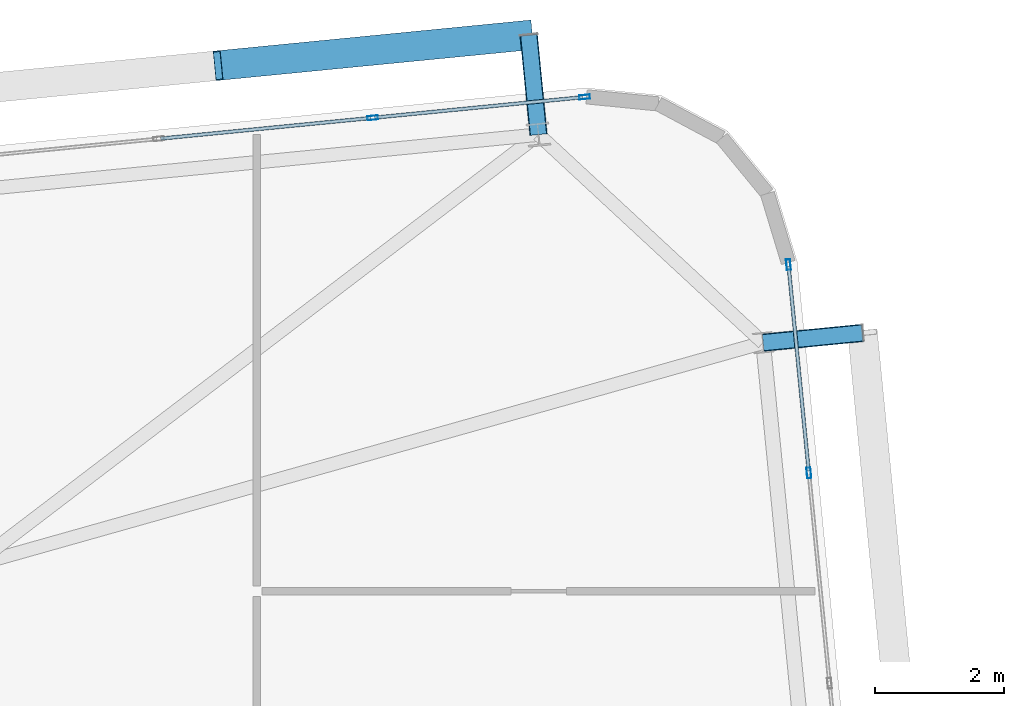
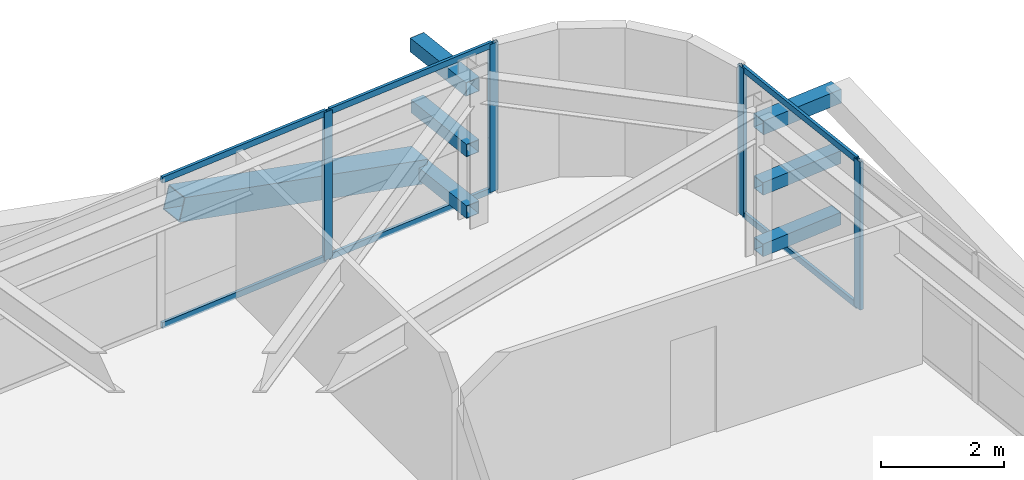
# One storey, part 35 of 52: 17 members, 2 elements without a shape of their own.
"""IFC4 building model written with IfcOpenShell, lengths in metres."""

from ifc_helpers import new_model, si_unit, direction, frame, origin, origin_2d, place, context, subcontext, project, spatial, hollow_rectangle, extrude, source, transform, mapped, material, layer, layer_set, material_profile, profile_set, type_object, element, aggregate, save


model = new_model("IFC4")

# Units and contexts
model_context = context("Model", 3, precision=1e-05, world=origin(), true_north=direction((0.0, 1.0)))
body_context = subcontext(model_context, "Body", "Model", "MODEL_VIEW")
ifc_project = project(units=[si_unit("LENGTHUNIT", "METRE"), si_unit("AREAUNIT", "SQUARE_METRE"), si_unit("VOLUMEUNIT", "CUBIC_METRE"), si_unit("PLANEANGLEUNIT", "RADIAN"), si_unit("MASSUNIT", "GRAM", prefix="KILO")], contexts=[model_context])

# Site, building, storey
site_placement = place(None, origin())
site = spatial("IfcSite", under=ifc_project, at=site_placement, CompositionType="ELEMENT")
building_placement = place(site_placement, origin())
building = spatial("IfcBuilding", under=site, at=building_placement, Name="Taldren Reach Tower", CompositionType="ELEMENT")
storey_placement = place(building_placement, frame((0.0, 0.0, 96.60009765625)))
storey = spatial("IfcBuildingStorey", under=building, at=storey_placement, Name="L29", CompositionType="ELEMENT", Elevation=96.60009765625)

# Members
ifc_material_1 = material(Name="Steel Gr 450 (C450L0)", Category="steel")
ifc_material_profile_1 = material_profile(ifc_material_1, hollow_rectangle(XDim=0.27490234375, YDim=0.27490234375, WallThickness=0.00927734375, at=origin_2d()), Name="275x275x9.3SHS")
ifc_profile_set_1 = profile_set([ifc_material_profile_1], Name="Steel Gr 450 (C450L0)")
member_type_1 = type_object("IfcMemberType", Name="MB-TIE273", PredefinedType="STRUT", material=ifc_profile_set_1)
shared_shape_1 = source(origin(), body_context, "Body", "SweptSolid", [
    extrude(hollow_rectangle(XDim=0.27490234375, YDim=0.27490234375, WallThickness=0.00927734375, at=origin_2d()), origin(), (0.0, 0.0, 1.0), 1.5498046875),
])
for number, where, z_axis, x_axis, name in (
    (1, (59.765869140625, 38.679931640625, 2.64990234375), (-0.097663201064, 0.995219523099, 0.0), (-0.995219523099, -0.097663201064, 0.0), "Exoskeleton diaphragm tie strut B2-N6 L29"),
    (2, (63.247314453125, 35.454345703125, 2.64990234375), (0.995234821595, 0.097507178627, 0.0), (-0.097507178627, 0.995234821595, 0.0), "Exoskeleton diaphragm tie strut B2-E3 L29"),
):
    element("IfcMember", number, at=place(storey_placement, frame(where, z_axis=z_axis, x_axis=x_axis)), inside=storey, type_object=member_type_1, Name=name, PredefinedType="STRUT", context=body_context, shape_type="MappedRepresentation", body=[
        mapped(shared_shape_1, transform((0.0, 0.0, 0.0), scale=1.0)),
    ])
ifc_material_2 = material(Name="Steel Gr 350 (C350L0)", Category="steel")
ifc_material_profile_2 = material_profile(ifc_material_2, hollow_rectangle(XDim=0.25, YDim=0.25, WallThickness=0.010009765625, at=origin_2d()), Name="250x250x10.0SHS")
ifc_profile_set_2 = profile_set([ifc_material_profile_2], Name="Steel Gr 350 (C350L0)")
member_type_2 = type_object("IfcMemberType", Name="MB-POST250", PredefinedType="POST", material=ifc_profile_set_2)
shared_shape_2 = source(origin(), body_context, "Body", "SweptSolid", [
    extrude(hollow_rectangle(XDim=0.25, YDim=0.25, WallThickness=0.010009765625, at=origin_2d()), origin(), (0.0, 0.0, 1.0), 1.5498046875),
])
for number, where, z_axis, x_axis, name in (
    (3, (59.765869140625, 38.679931640625, 0.219970703125), (-0.097663201064, 0.995219523099, 0.0), (-0.995219523099, -0.097663201064, 0.0), "Exoskeleton base diaphragm tie strut B2-N6 L29"),
    (4, (63.247314453125, 35.454345703125, 0.219970703125), (0.995234821595, 0.097507178627, 0.0), (-0.097507178627, 0.995234821595, 0.0), "Exoskeleton base diaphragm tie strut B2-E3 L29"),
    (5, (59.765869140625, 38.679931640625, 1.434814453125), (-0.097663201064, 0.995219523099, 0.0), (-0.995219523099, -0.097663201064, 0.0), "Exoskeleton mid-tier diaphragm tie B2-N6 L29"),
    (6, (63.247314453125, 35.454345703125, 1.434814453125), (0.995234821595, 0.097507178627, 0.0), (-0.097507178627, 0.995234821595, 0.0), "Exoskeleton mid-tier diaphragm tie B2-E3 L29"),
):
    element("IfcMember", number, at=place(storey_placement, frame(where, z_axis=z_axis, x_axis=x_axis)), inside=storey, type_object=member_type_2, Name=name, PredefinedType="POST", context=body_context, shape_type="MappedRepresentation", body=[
        mapped(shared_shape_2, transform((0.0, 0.0, 0.0), scale=1.0)),
    ])
ifc_material_profile_3 = material_profile(ifc_material_1, hollow_rectangle(XDim=0.4599609375, YDim=0.4599609375, WallThickness=0.01611328125, at=origin_2d()), Name="460x460x16.0SHS")
ifc_profile_set_3 = profile_set([ifc_material_profile_3], Name="Steel Gr 450 (C450L0)")
member_type_3 = type_object("IfcMemberType", Name="MB-EXO457", PredefinedType="BRACE", material=ifc_profile_set_3)
shared_shape_3 = source(origin(), body_context, "Body", "SweptSolid", [
    extrude(hollow_rectangle(XDim=0.4599609375, YDim=0.4599609375, WallThickness=0.01611328125, at=origin_2d()), origin(), (0.0, 0.0, 1.0), 4.990234375),
])
member_1_placement = place(storey_placement, frame((59.614501953125, 40.222412109375, 0.219970703125), z_axis=(-0.965287024526, -0.094620633828, 0.24344998652), x_axis=(0.097555749586, -0.995230061706, 0.0)))
element("IfcMember", 7, at=member_1_placement, inside=storey, type_object=member_type_3, Name="Exoskeleton Diagrid Brace B2-N5 L29", PredefinedType="BRACE", context=body_context, shape_type="MappedRepresentation", body=[
    mapped(shared_shape_3, transform((0.0, 0.0, 0.0), scale=1.0)),
])

# Curtain wall, members
ifc_material_3 = material(Name="Aluminium and Low-E Glass Unitised System", Category="aluminium")
ifc_layer = layer(ifc_material_3, 0.159912109375)
ifc_layer_set = layer_set([ifc_layer], Name="Aluminium and Low-E Glass Unitised System")
curtain_wall_type = type_object("IfcCurtainWallType", Name="CW-SYS-3", PredefinedType="NOTDEFINED", material=ifc_layer_set)
curtain_wall_1_placement = place(storey_placement, origin())
curtain_wall_1 = element("IfcCurtainWall", 8, at=curtain_wall_1_placement, inside=storey, type_object=curtain_wall_type, Name="Unitised curtain wall CW-L29-N", PredefinedType="NOTDEFINED")
ifc_material_4 = material(Name="Anodised Aluminium 6063-T6", Category="aluminium")
ifc_material_profile_4 = material_profile(ifc_material_4, hollow_rectangle(XDim=0.06494140625, YDim=0.1650390625, WallThickness=0.00390625, at=origin_2d()), Name="ALU-165x65x4RHS")
ifc_profile_set_4 = profile_set([ifc_material_profile_4], Name="Anodised Aluminium 6063-T6")
member_type_4 = type_object("IfcMemberType", Name="CW-MUL-165", PredefinedType="MULLION", material=ifc_profile_set_4)
shared_shape_4 = source(origin(), body_context, "Body", "SweptSolid", [
    extrude(hollow_rectangle(XDim=0.06494140625, YDim=0.1650390625, WallThickness=0.00390625, at=origin_2d()), origin(), (0.0, 0.0, 1.0), 2.929931640625),
])
member_2_placement = place(storey_placement, frame((60.47998046875, 39.262451171875, 0.0), z_axis=(0.0, 0.0, 1.0), x_axis=(0.097582999046, -0.995227390247, 0.0)))
member_2 = element("IfcMember", 9, at=member_2_placement, type_object=member_type_4, Name="CW-3 mullion 1", PredefinedType="MULLION", context=body_context, shape_type="MappedRepresentation", body=[
    mapped(shared_shape_4, transform((0.0, 0.0, 0.0), scale=1.0)),
])
member_3_placement = place(storey_placement, frame((57.19482421875, 38.940185546875, 0.0), z_axis=(0.0, 0.0, 1.0), x_axis=(0.097582999046, -0.995227390247, 0.0)))
member_3 = element("IfcMember", 10, at=member_3_placement, type_object=member_type_4, Name="CW-3 mullion 2", PredefinedType="MULLION", context=body_context, shape_type="MappedRepresentation", body=[
    mapped(shared_shape_4, transform((0.0, 0.0, 0.0), scale=1.0)),
])

curtain_wall_2_placement = place(storey_placement, origin())
curtain_wall_2 = element("IfcCurtainWall", 11, at=curtain_wall_2_placement, inside=storey, type_object=curtain_wall_type, Name="Unitised curtain wall CW-L29-E", PredefinedType="NOTDEFINED")
member_4_placement = place(storey_placement, frame((63.95751953125, 33.43603515625, 0.0), z_axis=(0.0, 0.0, 1.0), x_axis=(-0.99522741555, -0.09758274098, 0.0)))
member_4 = element("IfcMember", 12, at=member_4_placement, type_object=member_type_4, Name="CW-3 mullion 9", PredefinedType="MULLION", context=body_context, shape_type="MappedRepresentation", body=[
    mapped(shared_shape_4, transform((0.0, 0.0, 0.0), scale=1.0)),
])
member_5_placement = place(storey_placement, frame((63.640869140625, 36.666015625, 0.0), z_axis=(0.0, 0.0, 1.0), x_axis=(-0.99522741555, -0.09758274098, 0.0)))
member_5 = element("IfcMember", 13, at=member_5_placement, type_object=member_type_4, Name="CW-3 mullion 10", PredefinedType="MULLION", context=body_context, shape_type="MappedRepresentation", body=[
    mapped(shared_shape_4, transform((0.0, 0.0, 0.0), scale=1.0)),
])

# Member
ifc_material_profile_5 = material_profile(ifc_material_4, hollow_rectangle(XDim=0.054931640625, YDim=0.1201171875, WallThickness=0.0029296875, at=origin_2d()), Name="ALU-120x55x3RHS")
ifc_profile_set_5 = profile_set([ifc_material_profile_5], Name="Anodised Aluminium 6063-T6")
member_type_5 = type_object("IfcMemberType", Name="CW-TRN-135", PredefinedType="USERDEFINED", material=ifc_profile_set_5)
shared_shape_5 = source(origin(), body_context, "Body", "SweptSolid", [
    extrude(hollow_rectangle(XDim=0.054931640625, YDim=0.1201171875, WallThickness=0.0029296875, at=origin_2d()), origin(), (0.0, 0.0, 1.0), 3.23583984375),
])
member_6_placement = place(storey_placement, frame((60.447509765625, 39.25927734375, 0.02734375), z_axis=(-0.995222920971, -0.097628569459, 0.0), x_axis=(0.097628569459, -0.995222920971, 0.0)))
member_6 = element("IfcMember", 14, at=member_6_placement, type_object=member_type_5, Name="CW-3 transom 1.1", ObjectType="TRANSOM", PredefinedType="USERDEFINED", context=body_context, shape_type="MappedRepresentation", body=[
    mapped(shared_shape_5, transform((0.0, 0.0, 0.0), scale=1.0)),
])

member_7_placement = place(storey_placement, frame((60.447509765625, 39.25927734375, 2.90234375), z_axis=(-0.995222920971, -0.097628569459, 0.0), x_axis=(0.097628569459, -0.995222920971, 0.0)))
member_7 = element("IfcMember", 15, at=member_7_placement, type_object=member_type_5, Name="CW-3 transom 1.2", ObjectType="TRANSOM", PredefinedType="USERDEFINED", context=body_context, shape_type="MappedRepresentation", body=[
    mapped(shared_shape_5, transform((0.0, 0.0, 0.0), scale=1.0)),
])

shared_shape_6 = source(origin(), body_context, "Body", "SweptSolid", [
    extrude(hollow_rectangle(XDim=0.054931640625, YDim=0.1201171875, WallThickness=0.0029296875, at=origin_2d()), origin(), (0.0, 0.0, 1.0), 3.2685546875),
])
member_8_placement = place(storey_placement, frame((57.16259765625, 38.93701171875, 0.02734375), z_axis=(-0.99523051601, -0.097551114824, 0.0), x_axis=(0.097551114824, -0.99523051601, 0.0)))
member_8 = element("IfcMember", 16, at=member_8_placement, type_object=member_type_5, Name="CW-3 transom 2.1", ObjectType="TRANSOM", PredefinedType="USERDEFINED", context=body_context, shape_type="MappedRepresentation", body=[
    mapped(shared_shape_6, transform((0.0, 0.0, 0.0), scale=1.0)),
])

member_9_placement = place(storey_placement, frame((57.16259765625, 38.93701171875, 2.90234375), z_axis=(-0.99523051601, -0.097551114824, 0.0), x_axis=(0.097551114824, -0.99523051601, 0.0)))
member_9 = element("IfcMember", 17, at=member_9_placement, type_object=member_type_5, Name="CW-3 transom 2.2", ObjectType="TRANSOM", PredefinedType="USERDEFINED", context=body_context, shape_type="MappedRepresentation", body=[
    mapped(shared_shape_6, transform((0.0, 0.0, 0.0), scale=1.0)),
])

aggregate(curtain_wall_1, [member_2, member_3, member_6, member_7, member_8, member_9])

shared_shape_7 = source(origin(), body_context, "Body", "SweptSolid", [
    extrude(hollow_rectangle(XDim=0.054931640625, YDim=0.1201171875, WallThickness=0.0029296875, at=origin_2d()), origin(), (0.0, 0.0, 1.0), 3.18017578125),
])
member_10_placement = place(storey_placement, frame((63.954345703125, 33.468505859375, 0.02734375), z_axis=(-0.097572914968, 0.995228378949, 0.0), x_axis=(-0.995228378949, -0.097572914968, 0.0)))
member_10 = element("IfcMember", 18, at=member_10_placement, type_object=member_type_5, Name="CW-3 transom 9.1", ObjectType="TRANSOM", PredefinedType="USERDEFINED", context=body_context, shape_type="MappedRepresentation", body=[
    mapped(shared_shape_7, transform((0.0, 0.0, 0.0), scale=1.0)),
])

member_11_placement = place(storey_placement, frame((63.954345703125, 33.468505859375, 2.90234375), z_axis=(-0.097572914968, 0.995228378949, 0.0), x_axis=(-0.995228378949, -0.097572914968, 0.0)))
member_11 = element("IfcMember", 19, at=member_11_placement, type_object=member_type_5, Name="CW-3 transom 9.2", ObjectType="TRANSOM", PredefinedType="USERDEFINED", context=body_context, shape_type="MappedRepresentation", body=[
    mapped(shared_shape_7, transform((0.0, 0.0, 0.0), scale=1.0)),
])

aggregate(curtain_wall_2, [member_4, member_5, member_10, member_11])

save(model, "model.ifc")
